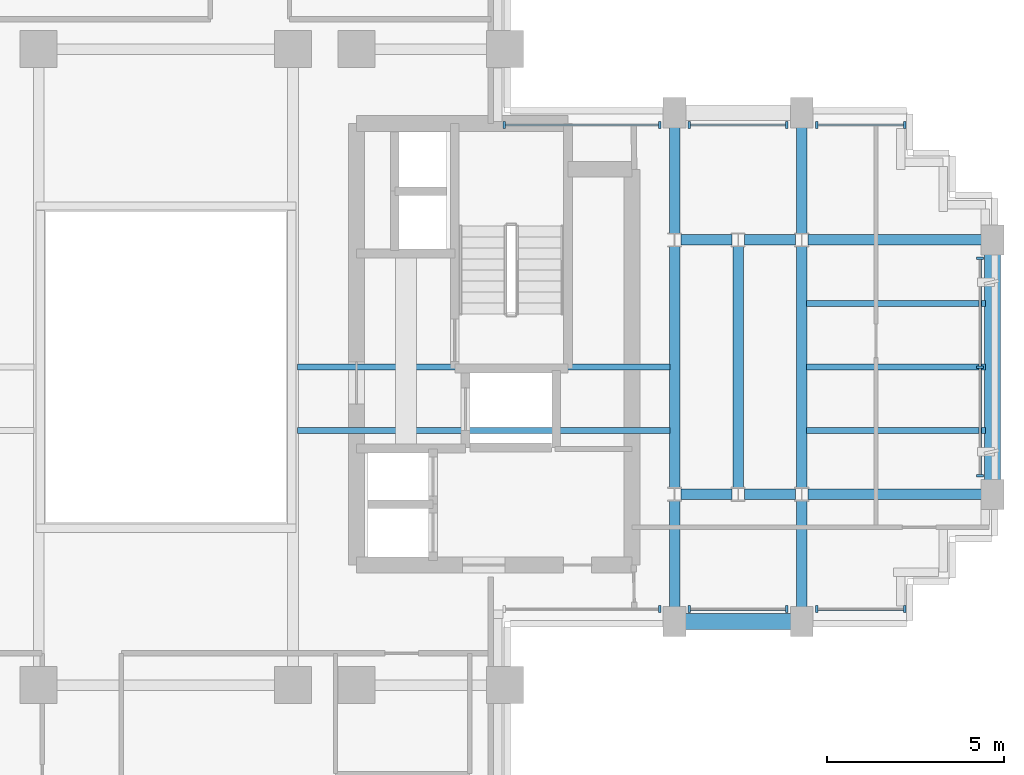
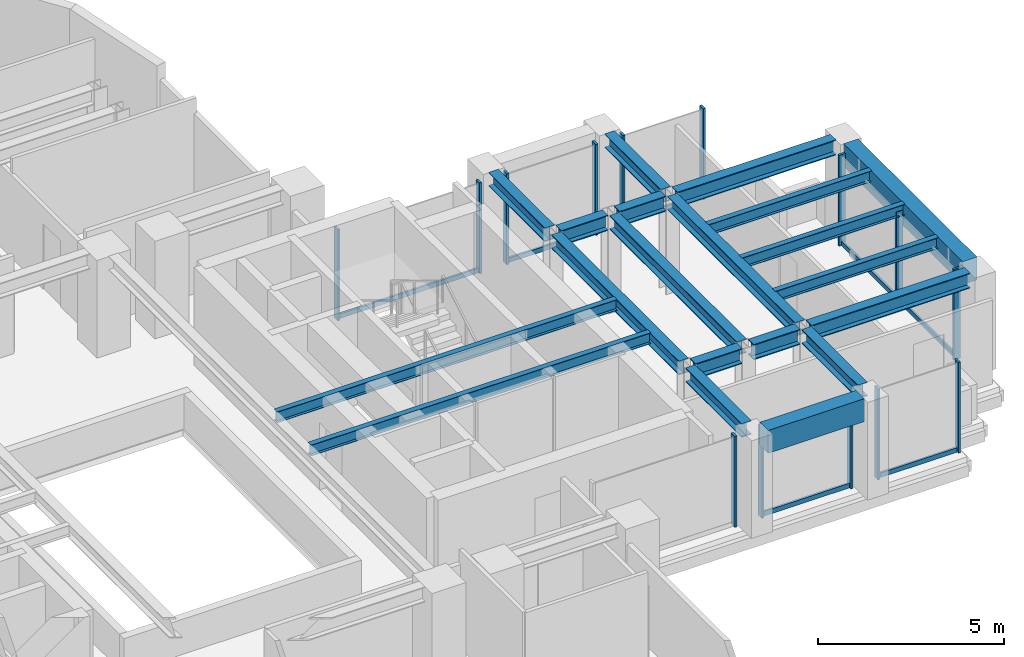
# One storey, part 5 of 14: 21 members, 20 beams, 7 elements without a shape of their own.
"""IFC4 building model written with IfcOpenShell, lengths in metres."""

import ifcopenshell
import ifcopenshell.guid

model = None  # the IFC model being written
_history = None  # IfcOwnerHistory: only IFC2X3 demands one
_inside = {}  # id of a spatial element -> (the spatial element, [elements in it])
_under = {}  # id of a project, library or spatial element -> (it, [spatial elements below it])
_declared = {}  # id of a project -> (the project, [libraries it declares])
_typed = {}  # id of a type object -> (the type object, [elements of that type])
_made_of = {}  # id of a material, layer set ... -> (it, [elements and type objects made of it])


def new_model(schema):
    """Start an empty IFC model of exactly this schema.

    Asked for "IFC4X3", IfcOpenShell would pick the latest addendum, in which some entities
    have other attributes; the version numbers below select the first issue.
    IFC2X3 requires an IfcOwnerHistory on every rooted entity: one is made here for all.
    """
    global model, _history
    if schema == "IFC4X3":
        model = ifcopenshell.file(schema_version=(4, 3, 0, 0))
    else:
        model = ifcopenshell.file(schema=schema)
    _inside.clear()
    _under.clear()
    _declared.clear()
    _typed.clear()
    _made_of.clear()
    _history = None
    if model.schema == "IFC2X3":
        org = make("IfcOrganization", Name="unknown")
        user = make(
            "IfcPersonAndOrganization",
            ThePerson=make("IfcPerson", FamilyName="unknown"),
            TheOrganization=org,
        )
        app = make(
            "IfcApplication",
            ApplicationDeveloper=org,
            Version="unknown",
            ApplicationFullName="unknown",
            ApplicationIdentifier="unknown",
        )
        _history = make(
            "IfcOwnerHistory",
            OwningUser=user,
            OwningApplication=app,
            ChangeAction="ADDED",
            CreationDate=0,
        )
    return model


def make(cls, **values):
    """One entity of the class cls with the attributes given. An attribute that is None is left unset."""
    return model.create_entity(
        cls, **{name: value for name, value in values.items() if value is not None}
    )


def rooted(cls, **values):
    """An entity with a GlobalId (a new one), such as an element, a storey or a relation."""
    return make(cls, GlobalId=ifcopenshell.guid.new(), OwnerHistory=_history, **values)


def si_unit(unit_type, name, prefix=None):
    """IfcSIUnit, for example si_unit("LENGTHUNIT", "METRE", prefix="MILLI")."""
    return make("IfcSIUnit", UnitType=unit_type, Prefix=prefix, Name=name)


def assignment(units):
    """IfcUnitAssignment: the units of a project."""
    return None if units is None else make("IfcUnitAssignment", Units=units)


def point(xyz):
    """IfcCartesianPoint."""
    return None if xyz is None else make("IfcCartesianPoint", Coordinates=xyz)


def direction(xyz):
    """IfcDirection."""
    return None if xyz is None else make("IfcDirection", DirectionRatios=xyz)


def frame(location, z_axis=None, x_axis=None):
    """IfcAxis2Placement3D, a coordinate frame: its origin and axes. An axis left out is left unset."""
    return make(
        "IfcAxis2Placement3D",
        Location=point(location),
        Axis=direction(z_axis),
        RefDirection=direction(x_axis),
    )


def frame_2d(location, x_axis=None):
    """IfcAxis2Placement2D, a coordinate frame in the plane: its origin and x axis."""
    return make(
        "IfcAxis2Placement2D", Location=point(location), RefDirection=direction(x_axis)
    )


def origin():
    """The frame at (0, 0, 0) with its axes left unset."""
    return frame((0.0, 0.0, 0.0))


def origin_2d():
    """The frame at (0, 0) in the plane with its x axis left unset."""
    return frame_2d((0.0, 0.0))


def place(relative_to, where):
    """IfcLocalPlacement: puts the frame where relative to a parent placement (None: the world)."""
    return make(
        "IfcLocalPlacement", PlacementRelTo=relative_to, RelativePlacement=where
    )


def context(
    kind, dimensions, precision=None, world=None, true_north=None, identifier=None
):
    """IfcGeometricRepresentationContext, for example the 3D "Model" context."""
    return make(
        "IfcGeometricRepresentationContext",
        ContextIdentifier=identifier,
        ContextType=kind,
        CoordinateSpaceDimension=dimensions,
        Precision=precision,
        WorldCoordinateSystem=world,
        TrueNorth=true_north,
    )


def subcontext(parent, identifier, kind, view, scale=None):
    """IfcGeometricRepresentationSubContext, for example "Body" below "Model"."""
    return make(
        "IfcGeometricRepresentationSubContext",
        ContextIdentifier=identifier,
        ContextType=kind,
        ParentContext=parent,
        TargetScale=scale,
        TargetView=view,
    )


def project(units=None, contexts=None):
    """IfcProject with its units and contexts."""
    return rooted(
        "IfcProject",
        Name="project",
        RepresentationContexts=contexts,
        UnitsInContext=assignment(units),
    )


def spatial(cls, under=None, at=None, **own):
    """A site, building, storey or space (cls), placed at a placement, below another one or the project."""
    s = rooted(cls, ObjectPlacement=at, **own)
    if under is not None:
        _under.setdefault(under.id(), (under, []))[1].append(s)
    return s


def profile(cls, at=None, kind="AREA", **sizes):
    """A parametric profile (cls). Its sizes go by their IFC names, for example OverallWidth=200.0."""
    return make(cls, ProfileType=kind, Position=at, **sizes)


def rectangle(**sizes):
    """IfcRectangleProfileDef."""
    return profile("IfcRectangleProfileDef", **sizes)


def i_section(**sizes):
    """IfcIShapeProfileDef."""
    return profile("IfcIShapeProfileDef", **sizes)


def extrude(swept, where, along, depth):
    """IfcExtrudedAreaSolid: the profile swept, set in the frame where, extruded along a direction by depth."""
    return make(
        "IfcExtrudedAreaSolid",
        SweptArea=swept,
        Position=where,
        ExtrudedDirection=direction(along),
        Depth=depth,
    )


def shape(context_of_items, identifier, shape_type, items):
    """IfcShapeRepresentation: the items that make up one representation, for example the "Body"."""
    return make(
        "IfcShapeRepresentation",
        ContextOfItems=context_of_items,
        RepresentationIdentifier=identifier,
        RepresentationType=shape_type,
        Items=items,
    )


def source(mapping_origin, context_of_items, identifier, shape_type, items):
    """IfcRepresentationMap: a shape defined once, which mapped items show again and again."""
    return make(
        "IfcRepresentationMap",
        MappingOrigin=mapping_origin,
        MappedRepresentation=shape(context_of_items, identifier, shape_type, items),
    )


def transform(
    local_origin,
    x_axis=None,
    y_axis=None,
    z_axis=None,
    scale=None,
    scale2=None,
    scale3=None,
    uniform=True,
):
    """IfcCartesianTransformationOperator3D, or its non-uniform kind. x_axis, y_axis, z_axis: its Axis1, 2, 3."""
    if uniform:
        return make(
            "IfcCartesianTransformationOperator3D",
            Axis1=direction(x_axis),
            Axis2=direction(y_axis),
            LocalOrigin=point(local_origin),
            Scale=scale,
            Axis3=direction(z_axis),
        )
    return make(
        "IfcCartesianTransformationOperator3DnonUniform",
        Axis1=direction(x_axis),
        Axis2=direction(y_axis),
        LocalOrigin=point(local_origin),
        Scale=scale,
        Axis3=direction(z_axis),
        Scale2=scale2,
        Scale3=scale3,
    )


def mapped(mapping_source, mapping_target):
    """IfcMappedItem: shows the shape of a source again, moved by a transform."""
    return make(
        "IfcMappedItem", MappingSource=mapping_source, MappingTarget=mapping_target
    )


def material(Name=None, Category=None):
    """IfcMaterial."""
    return make("IfcMaterial", Name=Name, Category=Category)


def material_profile(
    of_material, cross_section, Name=None, Category=None, Priority=None
):
    """IfcMaterialProfile: a cross section and its material."""
    return make(
        "IfcMaterialProfile",
        Name=Name,
        Material=of_material,
        Profile=cross_section,
        Priority=Priority,
        Category=Category,
    )


def profile_set(profiles, Name=None, composite=None):
    """IfcMaterialProfileSet."""
    return make(
        "IfcMaterialProfileSet",
        Name=Name,
        MaterialProfiles=profiles,
        CompositeProfile=composite,
    )


def made_of(thing, what):
    """Note that an element or type object is made of a material, layer set ...; save() writes the relation."""
    if what is not None:
        _made_of.setdefault(what.id(), (what, []))[1].append(thing)
    return thing


def type_object(cls, material=None, **own):
    """A type object (cls), such as IfcWallType, which elements share."""
    return made_of(rooted(cls, **own), material)


def element(
    cls,
    number,
    at=None,
    inside=None,
    cuts=None,
    type_object=None,
    material=None,
    context=None,
    identifier="Body",
    shape_type=None,
    held_by="IfcProductDefinitionShape",
    body=None,
    shapes=None,
    **own,
):
    """One element of the class cls, such as IfcWall. Its Tag is "e" and its number.

    at: its placement. inside: the storey or other place that contains it. cuts: it is an
    opening in that element (IfcRelVoidsElement). A single representation is given by context,
    identifier, shape_type and body (its items); several are given by shapes. held_by: the class
    of the entity that holds the representations. save() writes the other relations.
    """
    e = rooted(cls, Tag="e%d" % number, ObjectPlacement=at, **own)
    if body is not None:
        shapes = [shape(context, identifier, shape_type, body)]
    if shapes is not None:
        e.Representation = make(held_by, Representations=shapes)
    if inside is not None:
        _inside.setdefault(inside.id(), (inside, []))[1].append(e)
    if cuts is not None:
        rooted(
            "IfcRelVoidsElement", RelatingBuildingElement=cuts, RelatedOpeningElement=e
        )
    if type_object is not None:
        _typed.setdefault(type_object.id(), (type_object, []))[1].append(e)
    return made_of(e, material)


def aggregate(whole, parts):
    """IfcRelAggregates: a whole, such as a stair, and the parts it consists of."""
    return rooted("IfcRelAggregates", RelatingObject=whole, RelatedObjects=parts)


def save(model, path):
    """Write the relations noted so far, then the file.

    IfcRelAggregates (storeys below a building ...), IfcRelContainedInSpatialStructure (elements
    in a storey), IfcRelDefinesByType, IfcRelAssociatesMaterial and IfcRelDeclares: one each for
    every whole, place, type object, material and project.
    """
    for whole, parts in _under.values():
        aggregate(whole, parts)
    for where, things in _inside.values():
        rooted(
            "IfcRelContainedInSpatialStructure",
            RelatedElements=things,
            RelatingStructure=where,
        )
    for kind, things in _typed.values():
        rooted("IfcRelDefinesByType", RelatedObjects=things, RelatingType=kind)
    for what, things in _made_of.values():
        rooted("IfcRelAssociatesMaterial", RelatedObjects=things, RelatingMaterial=what)
    for by, libraries in _declared.values():
        rooted("IfcRelDeclares", RelatingContext=by, RelatedDefinitions=libraries)
    model.write(path)


model = new_model("IFC4")

# Units and contexts
model_context = context("Model", 3, precision=1e-05, world=origin(), true_north=direction((0.0, 1.0)))
body_context = subcontext(model_context, "Body", "Model", "MODEL_VIEW")
ifc_project = project(units=[si_unit("LENGTHUNIT", "METRE"), si_unit("AREAUNIT", "SQUARE_METRE"), si_unit("VOLUMEUNIT", "CUBIC_METRE"), si_unit("PLANEANGLEUNIT", "RADIAN"), si_unit("MASSUNIT", "GRAM", prefix="KILO")], contexts=[model_context])

# Site, building, storey
site_placement = place(None, origin())
site = spatial("IfcSite", under=ifc_project, at=site_placement, CompositionType="ELEMENT")
building_placement = place(site_placement, origin())
building = spatial("IfcBuilding", under=site, at=building_placement, Name="Keilestroom Media Tower", CompositionType="ELEMENT")
storey_placement = place(building_placement, frame((0.0, 0.0, 114.199951171875)))
storey = spatial("IfcBuildingStorey", under=building, at=storey_placement, Name="L30", CompositionType="ELEMENT", Elevation=114.199951171875)

# Beams
ifc_material_1 = material(Name="Steel S355", Category="steel")
ifc_material_profile_1 = material_profile(ifc_material_1, i_section(OverallWidth=0.169921875, OverallDepth=0.360107421875, WebThickness=0.008056640625, FlangeThickness=0.0126953125, at=origin_2d()), Name="IPE 360")
ifc_profile_set_1 = profile_set([ifc_material_profile_1], Name="Steel S355")
beam_type_1 = type_object("IfcBeamType", Name="Secondary-Floor-Joist-IPE-360", PredefinedType="JOIST", material=ifc_profile_set_1)
shared_shape_1 = source(origin(), body_context, "Body", "SweptSolid", [
    extrude(i_section(OverallWidth=0.169921875, OverallDepth=0.360107421875, WebThickness=0.008056640625, FlangeThickness=0.0126953125, at=origin_2d()), origin(), (0.0, 0.0, 1.0), 10.5400390625),
])
for number, where, z_axis, x_axis, name in (
    (1, (3.72998046875, -1.800048828125, 3.02001953125), (1.0, 0.0, 0.0), (0.0, 1.0, 0.0), "L30 Beam BJ-5 JST-L30-074"),
    (2, (3.72998046875, 0.0, 3.02001953125), (1.0, 0.0, 0.0), (0.0, 1.0, 0.0), "L30 Beam BJ-5 JST-L30-079"),
):
    element("IfcBeam", number, at=place(storey_placement, frame(where, z_axis=z_axis, x_axis=x_axis)), inside=storey, type_object=beam_type_1, Name=name, PredefinedType="JOIST", context=body_context, shape_type="MappedRepresentation", body=[
        mapped(shared_shape_1, transform((0.0, 0.0, 0.0), x_axis=(1.0, 0.0, 0.0), y_axis=(0.0, 1.0, 0.0), z_axis=(0.0, 0.0, 1.0), scale=1.0)),
    ])
ifc_material_2 = material(Name="Precast concrete C40/50", Category="concrete")
ifc_material_profile_2 = material_profile(ifc_material_2, rectangle(XDim=0.449951171875, YDim=0.75, at=origin_2d()), Name="PC 450x750")
ifc_profile_set_2 = profile_set([ifc_material_profile_2], Name="Precast concrete C40/50")
beam_type_2 = type_object("IfcBeamType", Name="Perimeter-Spandrel-Beam-PC-450x750", PredefinedType="SPANDREL", material=ifc_profile_set_2)
shared_shape_2 = source(origin(), body_context, "Body", "SweptSolid", [
    extrude(rectangle(XDim=0.449951171875, YDim=0.75, at=origin_2d()), origin(), (0.0, 0.0, 1.0), 2.989990234375),
])
beam_1_placement = place(storey_placement, frame((14.705078125, -7.199951171875, 2.824951171875), z_axis=(1.0, 0.0, 0.0), x_axis=(0.0, 1.0, 0.0)))
element("IfcBeam", 3, at=beam_1_placement, inside=storey, type_object=beam_type_2, Name="L30 Beam SPB-1 BM-L30-EW-013", PredefinedType="SPANDREL", context=body_context, shape_type="MappedRepresentation", body=[
    mapped(shared_shape_2, transform((0.0, 0.0, 0.0), x_axis=(1.0, 0.0, 0.0), y_axis=(0.0, 1.0, 0.0), z_axis=(0.0, 0.0, 1.0), scale=1.0)),
])
ifc_material_profile_3 = material_profile(ifc_material_1, i_section(OverallWidth=0.300048828125, OverallDepth=0.5, WebThickness=0.012451171875, FlangeThickness=0.028076171875, at=origin_2d()), Name="HEB 500")
ifc_profile_set_3 = profile_set([ifc_material_profile_3], Name="Steel S355")
beam_type_3 = type_object("IfcBeamType", Name="Primary-Structural-Girder-HEB-500", PredefinedType="BEAM", material=ifc_profile_set_3)
shared_shape_3 = source(origin(), body_context, "Body", "SweptSolid", [
    extrude(i_section(OverallWidth=0.300048828125, OverallDepth=0.5, WebThickness=0.012451171875, FlangeThickness=0.028076171875, at=origin_2d()), origin(), (0.0, 0.0, 1.0), 4.91455078125),
])
for number, where, z_axis, x_axis, name in (
    (4, (18.180419921875, -3.60009765625, 2.949951171875), (1.0, 0.0, 0.0), (0.0, 1.0, 0.0), "L30 Beam BG-6 BM-L30-EW-019"),
    (5, (18.180419921875, 3.60009765625, 2.949951171875), (1.0, 0.0, 0.0), (0.0, 1.0, 0.0), "L30 Beam BG-6 BM-L30-EW-025"),
):
    element("IfcBeam", number, at=place(storey_placement, frame(where, z_axis=z_axis, x_axis=x_axis)), inside=storey, type_object=beam_type_3, Name=name, PredefinedType="BEAM", context=body_context, shape_type="MappedRepresentation", body=[
        mapped(shared_shape_3, transform((0.0, 0.0, 0.0), x_axis=(1.0, 0.0, 0.0), y_axis=(0.0, 1.0, 0.0), z_axis=(0.0, 0.0, 1.0), scale=1.0)),
    ])
shared_shape_4 = source(origin(), body_context, "Body", "SweptSolid", [
    extrude(i_section(OverallWidth=0.300048828125, OverallDepth=0.5, WebThickness=0.012451171875, FlangeThickness=0.028076171875, at=origin_2d()), origin(), (0.0, 0.0, 1.0), 1.43896484375),
])
for number, where, z_axis, x_axis, name in (
    (6, (14.58056640625, -3.60009765625, 2.949951171875), (1.0, 0.0, 0.0), (0.0, 1.0, 0.0), "L30 Beam BG-6 BM-L30-EW-017"),
    (7, (16.380615234375, -3.60009765625, 2.949951171875), (1.0, 0.0, 0.0), (0.0, 1.0, 0.0), "L30 Beam BG-6 BM-L30-EW-018"),
    (8, (14.58056640625, 3.60009765625, 2.949951171875), (1.0, 0.0, 0.0), (0.0, 1.0, 0.0), "L30 Beam BG-6 BM-L30-EW-023"),
    (9, (16.380615234375, 3.60009765625, 2.949951171875), (1.0, 0.0, 0.0), (0.0, 1.0, 0.0), "L30 Beam BG-6 BM-L30-EW-024"),
):
    element("IfcBeam", number, at=place(storey_placement, frame(where, z_axis=z_axis, x_axis=x_axis)), inside=storey, type_object=beam_type_3, Name=name, PredefinedType="BEAM", context=body_context, shape_type="MappedRepresentation", body=[
        mapped(shared_shape_4, transform((0.0, 0.0, 0.0), x_axis=(1.0, 0.0, 0.0), y_axis=(0.0, 1.0, 0.0), z_axis=(0.0, 0.0, 1.0), scale=1.0)),
    ])
shared_shape_5 = source(origin(), body_context, "Body", "SweptSolid", [
    extrude(rectangle(XDim=0.449951171875, YDim=0.75, at=origin_2d()), origin(), (0.0, 0.0, 1.0), 6.39013671875),
])
beam_2_placement = place(storey_placement, frame((23.39990234375, -3.195068359375, 2.824951171875), z_axis=(0.0, 1.0, 0.0), x_axis=(-1.0, 0.0, 0.0)))
element("IfcBeam", 10, at=beam_2_placement, inside=storey, type_object=beam_type_2, Name="L30 Beam SPB-1 BM-L30-NS-068", PredefinedType="SPANDREL", context=body_context, shape_type="MappedRepresentation", body=[
    mapped(shared_shape_5, transform((0.0, 0.0, 0.0), x_axis=(1.0, 0.0, 0.0), y_axis=(0.0, 1.0, 0.0), z_axis=(0.0, 0.0, 1.0), scale=1.0)),
])
ifc_material_profile_4 = material_profile(ifc_material_1, i_section(OverallWidth=0.300048828125, OverallDepth=0.449951171875, WebThickness=0.011962890625, FlangeThickness=0.02587890625, at=origin_2d()), Name="HEB 450")
ifc_profile_set_4 = profile_set([ifc_material_profile_4], Name="Steel S355")
beam_type_4 = type_object("IfcBeamType", Name="Primary-Structural-Girder-HEB-450", PredefinedType="BEAM", material=ifc_profile_set_4)
shared_shape_6 = source(origin(), body_context, "Body", "SweptSolid", [
    extrude(i_section(OverallWidth=0.300048828125, OverallDepth=0.449951171875, WebThickness=0.011962890625, FlangeThickness=0.02587890625, at=origin_2d()), origin(), (0.0, 0.0, 1.0), 3.015380859375),
])
for number, where, z_axis, x_axis, name in (
    (11, (14.39990234375, -6.794921875, 2.97509765625), (0.0, 1.0, 0.0), (-1.0, 0.0, 0.0), "L30 Beam BG-7 BM-L30-NS-061"),
    (12, (14.39990234375, 3.779541015625, 2.97509765625), (0.0, 1.0, 0.0), (-1.0, 0.0, 0.0), "L30 Beam BG-7 BM-L30-NS-063"),
    (13, (18.0, -6.794921875, 2.97509765625), (0.0, 1.0, 0.0), (-1.0, 0.0, 0.0), "L30 Beam BG-7 BM-L30-NS-065"),
    (14, (18.0, 3.779541015625, 2.97509765625), (0.0, 1.0, 0.0), (-1.0, 0.0, 0.0), "L30 Beam BG-7 BM-L30-NS-067"),
):
    element("IfcBeam", number, at=place(storey_placement, frame(where, z_axis=z_axis, x_axis=x_axis)), inside=storey, type_object=beam_type_4, Name=name, PredefinedType="BEAM", context=body_context, shape_type="MappedRepresentation", body=[
        mapped(shared_shape_6, transform((0.0, 0.0, 0.0), x_axis=(1.0, 0.0, 0.0), y_axis=(0.0, 1.0, 0.0), z_axis=(0.0, 0.0, 1.0), scale=1.0)),
    ])
shared_shape_7 = source(origin(), body_context, "Body", "SweptSolid", [
    extrude(i_section(OverallWidth=0.300048828125, OverallDepth=0.449951171875, WebThickness=0.011962890625, FlangeThickness=0.02587890625, at=origin_2d()), origin(), (0.0, 0.0, 1.0), 6.8408203125),
])
for number, where, z_axis, x_axis, name in (
    (15, (14.39990234375, -3.42041015625, 2.97509765625), (0.0, 1.0, 0.0), (-1.0, 0.0, 0.0), "L30 Beam BG-7 BM-L30-NS-062"),
    (16, (16.199951171875, -3.42041015625, 2.97509765625), (0.0, 1.0, 0.0), (-1.0, 0.0, 0.0), "L30 Beam BG-7 BM-L30-NS-064"),
    (17, (18.0, -3.42041015625, 2.97509765625), (0.0, 1.0, 0.0), (-1.0, 0.0, 0.0), "L30 Beam BG-7 BM-L30-NS-066"),
):
    element("IfcBeam", number, at=place(storey_placement, frame(where, z_axis=z_axis, x_axis=x_axis)), inside=storey, type_object=beam_type_4, Name=name, PredefinedType="BEAM", context=body_context, shape_type="MappedRepresentation", body=[
        mapped(shared_shape_7, transform((0.0, 0.0, 0.0), x_axis=(1.0, 0.0, 0.0), y_axis=(0.0, 1.0, 0.0), z_axis=(0.0, 0.0, 1.0), scale=1.0)),
    ])
shared_shape_8 = source(origin(), body_context, "Body", "SweptSolid", [
    extrude(i_section(OverallWidth=0.169921875, OverallDepth=0.360107421875, WebThickness=0.008056640625, FlangeThickness=0.0126953125, at=origin_2d()), origin(), (0.0, 0.0, 1.0), 5.065185546875),
])
for number, where, z_axis, x_axis, name in (
    (18, (18.1298828125, -1.800048828125, 3.02001953125), (1.0, 0.0, 0.0), (0.0, 1.0, 0.0), "L30 Beam BJ-5 JST-L30-075"),
    (19, (18.1298828125, 0.0, 3.02001953125), (1.0, 0.0, 0.0), (0.0, 1.0, 0.0), "L30 Beam BJ-5 JST-L30-080"),
    (20, (18.1298828125, 1.800048828125, 3.02001953125), (1.0, 0.0, 0.0), (0.0, 1.0, 0.0), "L30 Beam BJ-5 JST-L30-085"),
):
    element("IfcBeam", number, at=place(storey_placement, frame(where, z_axis=z_axis, x_axis=x_axis)), inside=storey, type_object=beam_type_1, Name=name, PredefinedType="JOIST", context=body_context, shape_type="MappedRepresentation", body=[
        mapped(shared_shape_8, transform((0.0, 0.0, 0.0), x_axis=(1.0, 0.0, 0.0), y_axis=(0.0, 1.0, 0.0), z_axis=(0.0, 0.0, 1.0), scale=1.0)),
    ])

# Curtain wall, members
ifc_material_3 = material(Name="Anodised Aluminium Alloy", Category="aluminium")
curtain_wall_type = type_object("IfcCurtainWallType", Name="Unitised-Curtain-Wall-CW-2", PredefinedType="NOTDEFINED", material=ifc_material_3)
curtain_wall_1_placement = place(storey_placement, origin())
curtain_wall_1 = element("IfcCurtainWall", 21, at=curtain_wall_1_placement, inside=storey, type_object=curtain_wall_type, Name="L30 Curtain Wall CW-2 CW-L30-E-1", PredefinedType="NOTDEFINED")
ifc_material_profile_5 = material_profile(ifc_material_3, rectangle(XDim=0.070068359375, YDim=0.199951171875, at=origin_2d()), Name="ALU MULLION 70x200")
ifc_profile_set_5 = profile_set([ifc_material_profile_5], Name="Anodised Aluminium Alloy")
member_type_1 = type_object("IfcMemberType", Name="Curtain-Wall-Mullion-CW-2", PredefinedType="MULLION", material=ifc_profile_set_5)
shared_shape_9 = source(origin(), body_context, "Body", "SweptSolid", [
    extrude(rectangle(XDim=0.070068359375, YDim=0.199951171875, at=origin_2d()), origin(), (0.0, 0.0, 1.0), 2.97998046875),
])
member_1_placement = place(storey_placement, frame((23.050048828125, -3.080078125, 0.0), z_axis=(0.0, 0.0, 1.0), x_axis=(0.0, 1.0, 0.0)))
member_1 = element("IfcMember", 22, at=member_1_placement, type_object=member_type_1, Name="CW-2 Mullion 00", PredefinedType="MULLION", context=body_context, shape_type="MappedRepresentation", body=[
    mapped(shared_shape_9, transform((0.0, 0.0, 0.0), x_axis=(1.0, 0.0, 0.0), y_axis=(0.0, 1.0, 0.0), z_axis=(0.0, 0.0, 1.0), scale=1.0)),
])
member_2_placement = place(storey_placement, frame((23.050048828125, 0.0, 0.0), z_axis=(0.0, 0.0, 1.0), x_axis=(0.0, 1.0, 0.0)))
member_2 = element("IfcMember", 23, at=member_2_placement, type_object=member_type_1, Name="CW-2 Mullion 01", PredefinedType="MULLION", context=body_context, shape_type="MappedRepresentation", body=[
    mapped(shared_shape_9, transform((0.0, 0.0, 0.0), x_axis=(1.0, 0.0, 0.0), y_axis=(0.0, 1.0, 0.0), z_axis=(0.0, 0.0, 1.0), scale=1.0)),
])
member_3_placement = place(storey_placement, frame((23.050048828125, 3.080078125, 0.0), z_axis=(0.0, 0.0, 1.0), x_axis=(0.0, 1.0, 0.0)))
member_3 = element("IfcMember", 24, at=member_3_placement, type_object=member_type_1, Name="CW-2 Mullion 02", PredefinedType="MULLION", context=body_context, shape_type="MappedRepresentation", body=[
    mapped(shared_shape_9, transform((0.0, 0.0, 0.0), x_axis=(1.0, 0.0, 0.0), y_axis=(0.0, 1.0, 0.0), z_axis=(0.0, 0.0, 1.0), scale=1.0)),
])

curtain_wall_2_placement = place(storey_placement, origin())
curtain_wall_2 = element("IfcCurtainWall", 25, at=curtain_wall_2_placement, inside=storey, type_object=curtain_wall_type, Name="L30 Curtain Wall CW-2 CW-L30-NE-1", PredefinedType="NOTDEFINED")
member_4_placement = place(storey_placement, frame((9.5849609375, 6.85009765625, 0.0), z_axis=(0.0, 0.0, 1.0), x_axis=(1.0, 0.0, 0.0)))
member_4 = element("IfcMember", 26, at=member_4_placement, type_object=member_type_1, Name="CW-2 Mullion 00", PredefinedType="MULLION", context=body_context, shape_type="MappedRepresentation", body=[
    mapped(shared_shape_9, transform((0.0, 0.0, 0.0), x_axis=(1.0, 0.0, 0.0), y_axis=(0.0, 1.0, 0.0), z_axis=(0.0, 0.0, 1.0), scale=1.0)),
])
member_5_placement = place(storey_placement, frame((13.97998046875, 6.85009765625, 0.0), z_axis=(0.0, 0.0, 1.0), x_axis=(1.0, 0.0, 0.0)))
member_5 = element("IfcMember", 27, at=member_5_placement, type_object=member_type_1, Name="CW-2 Mullion 01", PredefinedType="MULLION", context=body_context, shape_type="MappedRepresentation", body=[
    mapped(shared_shape_9, transform((0.0, 0.0, 0.0), x_axis=(1.0, 0.0, 0.0), y_axis=(0.0, 1.0, 0.0), z_axis=(0.0, 0.0, 1.0), scale=1.0)),
])

curtain_wall_3_placement = place(storey_placement, origin())
curtain_wall_3 = element("IfcCurtainWall", 28, at=curtain_wall_3_placement, inside=storey, type_object=curtain_wall_type, Name="L30 Curtain Wall CW-2 CW-L30-NE-2", PredefinedType="NOTDEFINED")
member_6_placement = place(storey_placement, frame((14.820068359375, 6.85009765625, 0.0), z_axis=(0.0, 0.0, 1.0), x_axis=(1.0, 0.0, 0.0)))
member_6 = element("IfcMember", 29, at=member_6_placement, type_object=member_type_1, Name="CW-2 Mullion 00", PredefinedType="MULLION", context=body_context, shape_type="MappedRepresentation", body=[
    mapped(shared_shape_9, transform((0.0, 0.0, 0.0), x_axis=(1.0, 0.0, 0.0), y_axis=(0.0, 1.0, 0.0), z_axis=(0.0, 0.0, 1.0), scale=1.0)),
])
member_7_placement = place(storey_placement, frame((17.580078125, 6.85009765625, 0.0), z_axis=(0.0, 0.0, 1.0), x_axis=(1.0, 0.0, 0.0)))
member_7 = element("IfcMember", 30, at=member_7_placement, type_object=member_type_1, Name="CW-2 Mullion 01", PredefinedType="MULLION", context=body_context, shape_type="MappedRepresentation", body=[
    mapped(shared_shape_9, transform((0.0, 0.0, 0.0), x_axis=(1.0, 0.0, 0.0), y_axis=(0.0, 1.0, 0.0), z_axis=(0.0, 0.0, 1.0), scale=1.0)),
])

curtain_wall_4_placement = place(storey_placement, origin())
curtain_wall_4 = element("IfcCurtainWall", 31, at=curtain_wall_4_placement, inside=storey, type_object=curtain_wall_type, Name="L30 Curtain Wall CW-2 CW-L30-NE-3", PredefinedType="NOTDEFINED")
member_8_placement = place(storey_placement, frame((18.419921875, 6.85009765625, 0.0), z_axis=(0.0, 0.0, 1.0), x_axis=(1.0, 0.0, 0.0)))
member_8 = element("IfcMember", 32, at=member_8_placement, type_object=member_type_1, Name="CW-2 Mullion 00", PredefinedType="MULLION", context=body_context, shape_type="MappedRepresentation", body=[
    mapped(shared_shape_9, transform((0.0, 0.0, 0.0), x_axis=(1.0, 0.0, 0.0), y_axis=(0.0, 1.0, 0.0), z_axis=(0.0, 0.0, 1.0), scale=1.0)),
])
member_9_placement = place(storey_placement, frame((20.9150390625, 6.85009765625, 0.0), z_axis=(0.0, 0.0, 1.0), x_axis=(1.0, 0.0, 0.0)))
member_9 = element("IfcMember", 33, at=member_9_placement, type_object=member_type_1, Name="CW-2 Mullion 01", PredefinedType="MULLION", context=body_context, shape_type="MappedRepresentation", body=[
    mapped(shared_shape_9, transform((0.0, 0.0, 0.0), x_axis=(1.0, 0.0, 0.0), y_axis=(0.0, 1.0, 0.0), z_axis=(0.0, 0.0, 1.0), scale=1.0)),
])

# Curtain wall, member
curtain_wall_5_placement = place(storey_placement, origin())
curtain_wall_5 = element("IfcCurtainWall", 34, at=curtain_wall_5_placement, inside=storey, type_object=curtain_wall_type, Name="L30 Curtain Wall CW-2 CW-L30-SE-1", PredefinedType="NOTDEFINED")
member_10_placement = place(storey_placement, frame((13.97998046875, -6.85009765625, 0.0), z_axis=(0.0, 0.0, 1.0), x_axis=(1.0, 0.0, 0.0)))
member_10 = element("IfcMember", 35, at=member_10_placement, type_object=member_type_1, Name="CW-2 Mullion 01", PredefinedType="MULLION", context=body_context, shape_type="MappedRepresentation", body=[
    mapped(shared_shape_9, transform((0.0, 0.0, 0.0), x_axis=(1.0, 0.0, 0.0), y_axis=(0.0, 1.0, 0.0), z_axis=(0.0, 0.0, 1.0), scale=1.0)),
])
aggregate(curtain_wall_5, [member_10])

# Curtain wall, members
curtain_wall_6_placement = place(storey_placement, origin())
curtain_wall_6 = element("IfcCurtainWall", 36, at=curtain_wall_6_placement, inside=storey, type_object=curtain_wall_type, Name="L30 Curtain Wall CW-2 CW-L30-SE-2", PredefinedType="NOTDEFINED")
member_11_placement = place(storey_placement, frame((14.820068359375, -6.85009765625, 0.0), z_axis=(0.0, 0.0, 1.0), x_axis=(1.0, 0.0, 0.0)))
member_11 = element("IfcMember", 37, at=member_11_placement, type_object=member_type_1, Name="CW-2 Mullion 00", PredefinedType="MULLION", context=body_context, shape_type="MappedRepresentation", body=[
    mapped(shared_shape_9, transform((0.0, 0.0, 0.0), x_axis=(1.0, 0.0, 0.0), y_axis=(0.0, 1.0, 0.0), z_axis=(0.0, 0.0, 1.0), scale=1.0)),
])
member_12_placement = place(storey_placement, frame((17.580078125, -6.85009765625, 0.0), z_axis=(0.0, 0.0, 1.0), x_axis=(1.0, 0.0, 0.0)))
member_12 = element("IfcMember", 38, at=member_12_placement, type_object=member_type_1, Name="CW-2 Mullion 01", PredefinedType="MULLION", context=body_context, shape_type="MappedRepresentation", body=[
    mapped(shared_shape_9, transform((0.0, 0.0, 0.0), x_axis=(1.0, 0.0, 0.0), y_axis=(0.0, 1.0, 0.0), z_axis=(0.0, 0.0, 1.0), scale=1.0)),
])

curtain_wall_7_placement = place(storey_placement, origin())
curtain_wall_7 = element("IfcCurtainWall", 39, at=curtain_wall_7_placement, inside=storey, type_object=curtain_wall_type, Name="L30 Curtain Wall CW-2 CW-L30-SE-3", PredefinedType="NOTDEFINED")
member_13_placement = place(storey_placement, frame((18.419921875, -6.85009765625, 0.0), z_axis=(0.0, 0.0, 1.0), x_axis=(1.0, 0.0, 0.0)))
member_13 = element("IfcMember", 40, at=member_13_placement, type_object=member_type_1, Name="CW-2 Mullion 00", PredefinedType="MULLION", context=body_context, shape_type="MappedRepresentation", body=[
    mapped(shared_shape_9, transform((0.0, 0.0, 0.0), x_axis=(1.0, 0.0, 0.0), y_axis=(0.0, 1.0, 0.0), z_axis=(0.0, 0.0, 1.0), scale=1.0)),
])
member_14_placement = place(storey_placement, frame((20.9150390625, -6.85009765625, 0.0), z_axis=(0.0, 0.0, 1.0), x_axis=(1.0, 0.0, 0.0)))
member_14 = element("IfcMember", 41, at=member_14_placement, type_object=member_type_1, Name="CW-2 Mullion 01", PredefinedType="MULLION", context=body_context, shape_type="MappedRepresentation", body=[
    mapped(shared_shape_9, transform((0.0, 0.0, 0.0), x_axis=(1.0, 0.0, 0.0), y_axis=(0.0, 1.0, 0.0), z_axis=(0.0, 0.0, 1.0), scale=1.0)),
])

# Member
ifc_material_profile_6 = material_profile(ifc_material_3, rectangle(XDim=0.06494140625, YDim=0.14990234375, at=origin_2d()), Name="ALU TRANSOM 65x150")
ifc_profile_set_6 = profile_set([ifc_material_profile_6], Name="Anodised Aluminium Alloy")
member_type_2 = type_object("IfcMemberType", Name="Curtain-Wall-Transom-CW-2", PredefinedType="USERDEFINED", material=ifc_profile_set_6)
shared_shape_10 = source(origin(), body_context, "Body", "SweptSolid", [
    extrude(rectangle(XDim=0.06494140625, YDim=0.14990234375, at=origin_2d()), origin(), (0.0, 0.0, 1.0), 2.42919921875),
])
member_15_placement = place(storey_placement, frame((18.452880859375, 6.85009765625, 0.074951171875), z_axis=(1.0, 0.0, 0.0), x_axis=(0.0, 1.0, 0.0)))
member_15 = element("IfcMember", 42, at=member_15_placement, type_object=member_type_2, Name="CW-2 Transom 00.1", ObjectType="TRANSOM", PredefinedType="USERDEFINED", context=body_context, shape_type="MappedRepresentation", body=[
    mapped(shared_shape_10, transform((0.0, 0.0, 0.0), x_axis=(1.0, 0.0, 0.0), y_axis=(0.0, 1.0, 0.0), z_axis=(0.0, 0.0, 1.0), scale=1.0)),
])

aggregate(curtain_wall_4, [member_8, member_9, member_15])

member_16_placement = place(storey_placement, frame((18.452880859375, -6.85009765625, 0.074951171875), z_axis=(1.0, 0.0, 0.0), x_axis=(0.0, 1.0, 0.0)))
member_16 = element("IfcMember", 43, at=member_16_placement, type_object=member_type_2, Name="CW-2 Transom 00.1", ObjectType="TRANSOM", PredefinedType="USERDEFINED", context=body_context, shape_type="MappedRepresentation", body=[
    mapped(shared_shape_10, transform((0.0, 0.0, 0.0), x_axis=(1.0, 0.0, 0.0), y_axis=(0.0, 1.0, 0.0), z_axis=(0.0, 0.0, 1.0), scale=1.0)),
])

aggregate(curtain_wall_7, [member_13, member_14, member_16])

shared_shape_11 = source(origin(), body_context, "Body", "SweptSolid", [
    extrude(rectangle(XDim=0.06494140625, YDim=0.14990234375, at=origin_2d()), origin(), (0.0, 0.0, 1.0), 2.694091796875),
])
member_17_placement = place(storey_placement, frame((14.85302734375, 6.85009765625, 0.074951171875), z_axis=(1.0, 0.0, 0.0), x_axis=(0.0, 1.0, 0.0)))
member_17 = element("IfcMember", 44, at=member_17_placement, type_object=member_type_2, Name="CW-2 Transom 00.1", ObjectType="TRANSOM", PredefinedType="USERDEFINED", context=body_context, shape_type="MappedRepresentation", body=[
    mapped(shared_shape_11, transform((0.0, 0.0, 0.0), x_axis=(1.0, 0.0, 0.0), y_axis=(0.0, 1.0, 0.0), z_axis=(0.0, 0.0, 1.0), scale=1.0)),
])

aggregate(curtain_wall_3, [member_6, member_7, member_17])

member_18_placement = place(storey_placement, frame((14.85302734375, -6.85009765625, 0.074951171875), z_axis=(1.0, 0.0, 0.0), x_axis=(0.0, 1.0, 0.0)))
member_18 = element("IfcMember", 45, at=member_18_placement, type_object=member_type_2, Name="CW-2 Transom 00.1", ObjectType="TRANSOM", PredefinedType="USERDEFINED", context=body_context, shape_type="MappedRepresentation", body=[
    mapped(shared_shape_11, transform((0.0, 0.0, 0.0), x_axis=(1.0, 0.0, 0.0), y_axis=(0.0, 1.0, 0.0), z_axis=(0.0, 0.0, 1.0), scale=1.0)),
])

aggregate(curtain_wall_6, [member_11, member_12, member_18])

shared_shape_12 = source(origin(), body_context, "Body", "SweptSolid", [
    extrude(rectangle(XDim=0.06494140625, YDim=0.14990234375, at=origin_2d()), origin(), (0.0, 0.0, 1.0), 4.3291015625),
])
member_19_placement = place(storey_placement, frame((9.617919921875, 6.85009765625, 0.074951171875), z_axis=(1.0, 0.0, 0.0), x_axis=(0.0, 1.0, 0.0)))
member_19 = element("IfcMember", 46, at=member_19_placement, type_object=member_type_2, Name="CW-2 Transom 00.1", ObjectType="TRANSOM", PredefinedType="USERDEFINED", context=body_context, shape_type="MappedRepresentation", body=[
    mapped(shared_shape_12, transform((0.0, 0.0, 0.0), x_axis=(1.0, 0.0, 0.0), y_axis=(0.0, 1.0, 0.0), z_axis=(0.0, 0.0, 1.0), scale=1.0)),
])

aggregate(curtain_wall_2, [member_4, member_5, member_19])

shared_shape_13 = source(origin(), body_context, "Body", "SweptSolid", [
    extrude(rectangle(XDim=0.06494140625, YDim=0.14990234375, at=origin_2d()), origin(), (0.0, 0.0, 1.0), 3.01416015625),
])
member_20_placement = place(storey_placement, frame((23.050048828125, -3.047119140625, 0.074951171875), z_axis=(0.0, 1.0, 0.0), x_axis=(-1.0, 0.0, 0.0)))
member_20 = element("IfcMember", 47, at=member_20_placement, type_object=member_type_2, Name="CW-2 Transom 00.1", ObjectType="TRANSOM", PredefinedType="USERDEFINED", context=body_context, shape_type="MappedRepresentation", body=[
    mapped(shared_shape_13, transform((0.0, 0.0, 0.0), x_axis=(1.0, 0.0, 0.0), y_axis=(0.0, 1.0, 0.0), z_axis=(0.0, 0.0, 1.0), scale=1.0)),
])

member_21_placement = place(storey_placement, frame((23.050048828125, 0.032958984375, 0.074951171875), z_axis=(0.0, 1.0, 0.0), x_axis=(-1.0, 0.0, 0.0)))
member_21 = element("IfcMember", 48, at=member_21_placement, type_object=member_type_2, Name="CW-2 Transom 01.1", ObjectType="TRANSOM", PredefinedType="USERDEFINED", context=body_context, shape_type="MappedRepresentation", body=[
    mapped(shared_shape_13, transform((0.0, 0.0, 0.0), x_axis=(1.0, 0.0, 0.0), y_axis=(0.0, 1.0, 0.0), z_axis=(0.0, 0.0, 1.0), scale=1.0)),
])

aggregate(curtain_wall_1, [member_1, member_2, member_3, member_20, member_21])

save(model, "model.ifc")
